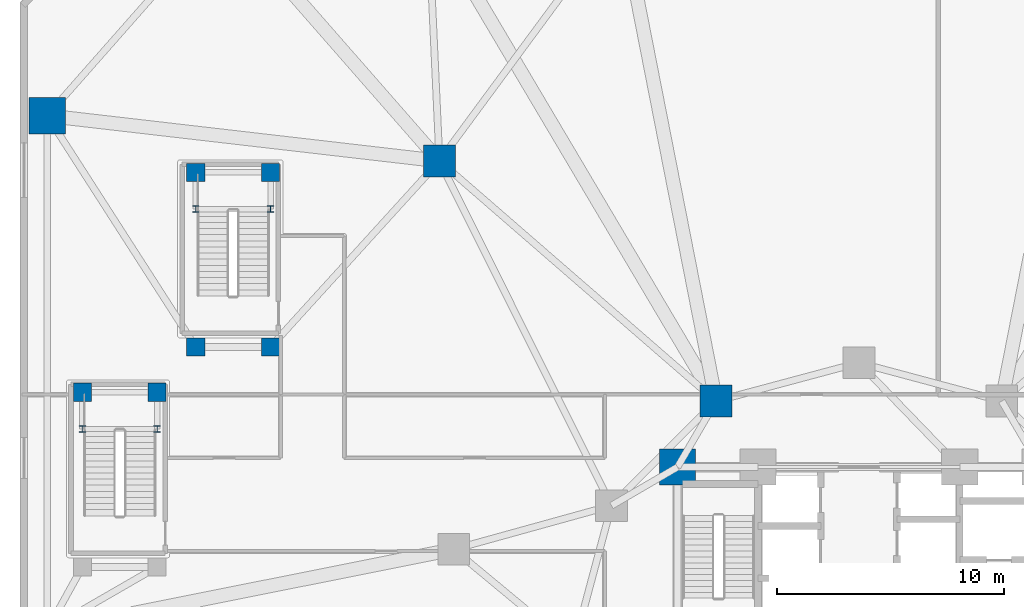
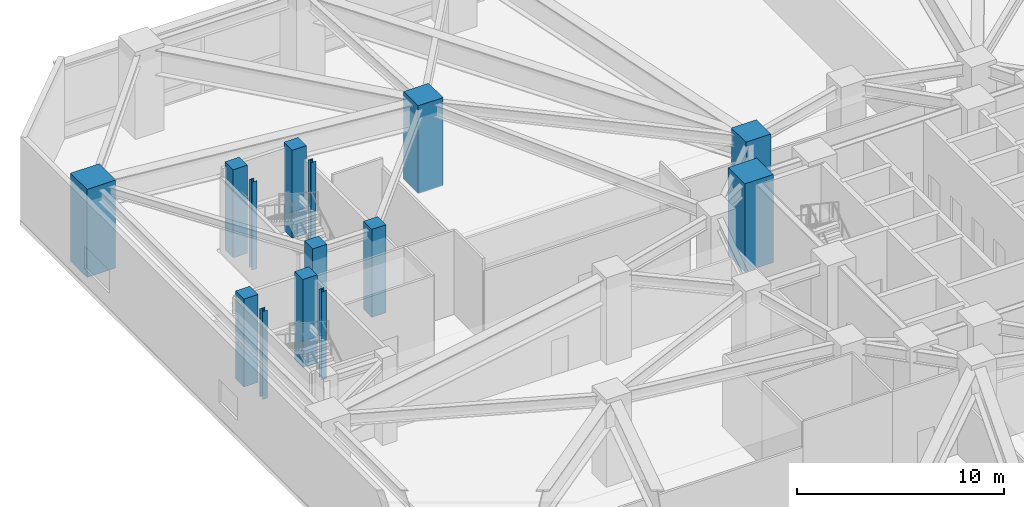
# One storey, part 2 of 27: 14 columns.
"""IFC4 building model written with IfcOpenShell, lengths in metres."""

from ifc_helpers import new_model, si_unit, direction, frame, origin, origin_2d, place, context, subcontext, project, spatial, rectangle, i_section, extrude, material, material_profile, profile_set, type_object, element, save


model = new_model("IFC4")

# Units and contexts
model_context = context("Model", 3, precision=1e-05, world=origin(), true_north=direction((0.0, 1.0)))
body_context = subcontext(model_context, "Body", "Model", "MODEL_VIEW")
ifc_project = project(units=[si_unit("LENGTHUNIT", "METRE"), si_unit("AREAUNIT", "SQUARE_METRE"), si_unit("VOLUMEUNIT", "CUBIC_METRE"), si_unit("PLANEANGLEUNIT", "RADIAN"), si_unit("MASSUNIT", "GRAM", prefix="KILO")], contexts=[model_context])

# Site, building, storey
site_placement = place(None, origin())
site = spatial("IfcSite", under=ifc_project, at=site_placement, CompositionType="ELEMENT")
building_placement = place(site_placement, origin())
building = spatial("IfcBuilding", under=site, at=building_placement, Name="Terralouvre Media Tower", CompositionType="ELEMENT")
storey_placement = place(building_placement, frame((0.0, 0.0, 15.60009765625)))
storey = spatial("IfcBuildingStorey", under=building, at=storey_placement, Name="L03", CompositionType="ELEMENT", Elevation=15.60009765625)

# Columns
ifc_material_1 = material(Name="Structural steel S355J2", Category="steel")
ifc_material_profile_1 = material_profile(ifc_material_1, i_section(OverallWidth=0.280029296875, OverallDepth=0.280029296875, WebThickness=0.010498046875, FlangeThickness=0.01806640625, at=origin_2d()), Name="HEB 280")
ifc_profile_set_1 = profile_set([ifc_material_profile_1], Name="Structural steel S355J2")
column_type_1 = type_object("IfcColumnType", Name="Basement Aisle Pilaster PL-HEB280 (HEB 280)", PredefinedType="PILASTER", material=ifc_profile_set_1)
for number, where, z_axis, x_axis, name in (
    (1, (-34.25, 9.679931640625, 0.0), (0.0, 0.0, 1.0), (1.0, 0.0, 0.0), "L03 Stair Half-Landing Post ST3CLP1"),
    (2, (-30.949951171875, 9.679931640625, 0.0), (0.0, 0.0, 1.0), (1.0, 0.0, 0.0), "L03 Stair Half-Landing Post ST3CLP2"),
    (3, (-29.25, 19.3798828125, 0.0), (0.0, 0.0, 1.0), (1.0, 0.0, 0.0), "L03 Stair Half-Landing Post ST6CLP1"),
    (4, (-25.949951171875, 19.3798828125, 0.0), (0.0, 0.0, 1.0), (1.0, 0.0, 0.0), "L03 Stair Half-Landing Post ST6CLP2"),
):
    element("IfcColumn", number, at=place(storey_placement, frame(where, z_axis=z_axis, x_axis=x_axis)), inside=storey, type_object=column_type_1, Name=name, PredefinedType="PILASTER", context=body_context, shape_type="SweptSolid", body=[
        extrude(i_section(OverallWidth=0.280029296875, OverallDepth=0.280029296875, WebThickness=0.010498046875, FlangeThickness=0.01806640625, at=origin_2d()), origin(), (0.0, 0.0, 1.0), 5.199951171875),
    ])
ifc_material_2 = material(Name="Concrete C60/75", Category="concrete")
ifc_material_profile_2 = material_profile(ifc_material_2, rectangle(XDim=1.39990234375, YDim=1.39990234375, at=origin_2d()), Name="RC 1400x1400")
ifc_profile_set_2 = profile_set([ifc_material_profile_2], Name="Concrete C60/75")
column_type_2 = type_object("IfcColumnType", Name="Structural Column C-RC1400 (RC 1400x1400)", PredefinedType="COLUMN", material=ifc_profile_set_2)
for number, where, z_axis, x_axis, name in (
    (5, (-6.300048828125, 10.911865234375, 0.0), (0.0, 0.0, 1.0), (1.0, 0.0, 0.0), "L03 Mega-Frame Column MC05"),
    (6, (-18.5, 21.5, 0.0), (0.0, 0.0, 1.0), (1.0, 0.0, 0.0), "L03 Podium Transfer Column PM19"),
):
    element("IfcColumn", number, at=place(storey_placement, frame(where, z_axis=z_axis, x_axis=x_axis)), inside=storey, type_object=column_type_2, Name=name, PredefinedType="COLUMN", context=body_context, shape_type="SweptSolid", body=[
        extrude(rectangle(XDim=1.39990234375, YDim=1.39990234375, at=origin_2d()), origin(), (0.0, 0.0, 1.0), 5.199951171875),
    ])
ifc_material_3 = material(Name="Concrete C60/75", Category="concrete")
ifc_material_profile_3 = material_profile(ifc_material_3, rectangle(XDim=1.60009765625, YDim=1.60009765625, at=origin_2d()), Name="RC 1600x1600")
ifc_profile_set_3 = profile_set([ifc_material_profile_3], Name="Concrete C60/75")
column_type_3 = type_object("IfcColumnType", Name="Structural Column C-RC1600 (RC 1600x1600)", PredefinedType="COLUMN", material=ifc_profile_set_3)
for number, where, z_axis, x_axis, name in (
    (7, (-8.0, 8.0, 0.0), (0.0, 0.0, 1.0), (1.0, 0.0, 0.0), "L03 Core Pilaster Column CP7"),
    (8, (-35.800048828125, 23.5, 0.0), (0.0, 0.0, 1.0), (1.0, 0.0, 0.0), "L03 Perimeter Mega-Column PM16"),
):
    element("IfcColumn", number, at=place(storey_placement, frame(where, z_axis=z_axis, x_axis=x_axis)), inside=storey, type_object=column_type_3, Name=name, PredefinedType="COLUMN", context=body_context, shape_type="SweptSolid", body=[
        extrude(rectangle(XDim=1.60009765625, YDim=1.60009765625, at=origin_2d()), origin(), (0.0, 0.0, 1.0), 5.199951171875),
    ])
ifc_material_4 = material(Name="Concrete C50/60", Category="concrete")
ifc_material_profile_4 = material_profile(ifc_material_4, rectangle(XDim=0.800048828125, YDim=0.800048828125, at=origin_2d()), Name="RC 800x800")
ifc_profile_set_4 = profile_set([ifc_material_profile_4], Name="Concrete C50/60")
column_type_4 = type_object("IfcColumnType", Name="Structural Column C-RC800 (RC 800x800)", PredefinedType="COLUMN", material=ifc_profile_set_4)
for number, where, z_axis, x_axis, name in (
    (9, (-30.949951171875, 11.300048828125, 0.0), (0.0, 0.0, 1.0), (1.0, 0.0, 0.0), "L03 Stair Pavilion Support Column ST3C3"),
    (10, (-34.25, 11.300048828125, 0.0), (0.0, 0.0, 1.0), (1.0, 0.0, 0.0), "L03 Stair Pavilion Support Column ST3C4"),
    (11, (-29.25, 13.300048828125, 0.0), (0.0, 0.0, 1.0), (1.0, 0.0, 0.0), "L03 Stair Pavilion Support Column ST6C1"),
    (12, (-25.949951171875, 13.300048828125, 0.0), (0.0, 0.0, 1.0), (1.0, 0.0, 0.0), "L03 Stair Pavilion Support Column ST6C2"),
    (13, (-25.949951171875, 21.0, 0.0), (0.0, 0.0, 1.0), (1.0, 0.0, 0.0), "L03 Stair Pavilion Support Column ST6C3"),
    (14, (-29.25, 21.0, 0.0), (0.0, 0.0, 1.0), (1.0, 0.0, 0.0), "L03 Stair Pavilion Support Column ST6C4"),
):
    element("IfcColumn", number, at=place(storey_placement, frame(where, z_axis=z_axis, x_axis=x_axis)), inside=storey, type_object=column_type_4, Name=name, PredefinedType="COLUMN", context=body_context, shape_type="SweptSolid", body=[
        extrude(rectangle(XDim=0.800048828125, YDim=0.800048828125, at=origin_2d()), origin(), (0.0, 0.0, 1.0), 5.199951171875),
    ])

save(model, "model.ifc")
